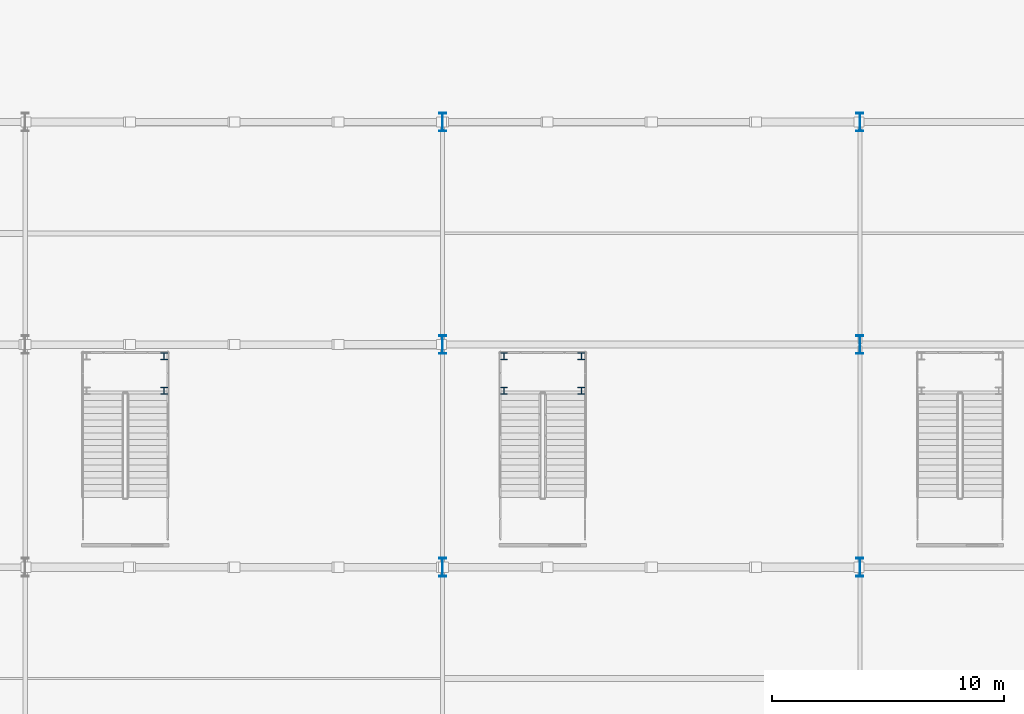
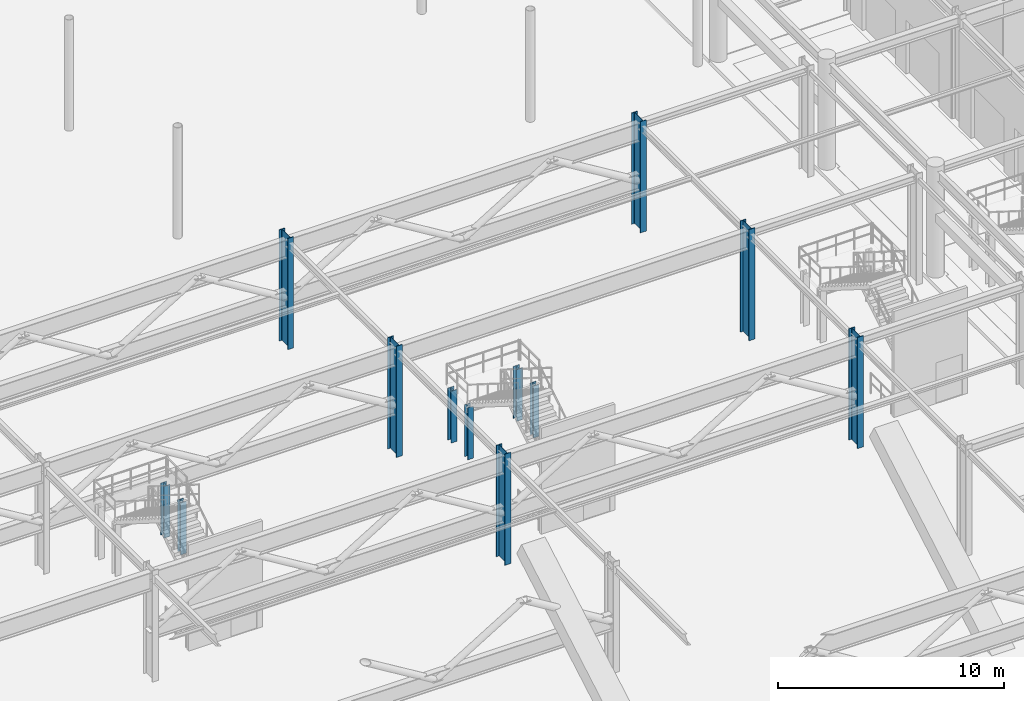
# One storey, part 11 of 113: 12 columns.
"""IFC4 building model written with IfcOpenShell, lengths in metres."""

from ifc_helpers import new_model, si_unit, direction, frame, origin, origin_2d, place, context, subcontext, project, spatial, i_section, extrude, material, material_profile, profile_set, type_object, element, save


model = new_model("IFC4")

# Units and contexts
model_context = context("Model", 3, precision=1e-05, world=origin(), true_north=direction((0.0, 1.0)))
body_context = subcontext(model_context, "Body", "Model", "MODEL_VIEW")
ifc_project = project(units=[si_unit("LENGTHUNIT", "METRE"), si_unit("AREAUNIT", "SQUARE_METRE"), si_unit("VOLUMEUNIT", "CUBIC_METRE"), si_unit("PLANEANGLEUNIT", "RADIAN"), si_unit("MASSUNIT", "GRAM", prefix="KILO")], contexts=[model_context])

# Site, building, storey
site_placement = place(None, origin())
site = spatial("IfcSite", under=ifc_project, at=site_placement, CompositionType="ELEMENT")
building_placement = place(site_placement, origin())
building = spatial("IfcBuilding", under=site, at=building_placement, Name="Myrtia Square Station", CompositionType="ELEMENT")
storey_placement = place(building_placement, origin())
storey = spatial("IfcBuildingStorey", under=building, at=storey_placement, Name="L00", CompositionType="ELEMENT", Elevation=0.0)

# Columns
ifc_material = material(Name="Steel S355", Category="steel")
ifc_material_profile_1 = material_profile(ifc_material, i_section(OverallWidth=0.300048828125, OverallDepth=0.300048828125, WebThickness=0.010986328125, FlangeThickness=0.01904296875, FilletRadius=0.027099609375, at=origin_2d()), Name="HEB 300")
ifc_profile_set_1 = profile_set([ifc_material_profile_1], Name="Steel S355")
column_type_1 = type_object("IfcColumnType", Name="COL-HEB300", PredefinedType="COLUMN", material=ifc_profile_set_1)
for number, where, z_axis, x_axis, name in (
    (1, (32.989990234375, 76.300048828125, 0.0), (0.0, 0.0, 1.0), (1.0, 0.0, 0.0), "Interchange stair landing post 2-EN"),
    (2, (32.989990234375, 74.820068359375, 0.0), (0.0, 0.0, 1.0), (1.0, 0.0, 0.0), "Interchange stair landing post 2-ES"),
    (3, (47.64990234375, 76.300048828125, 0.0), (0.0, 0.0, 1.0), (1.0, 0.0, 0.0), "Interchange stair landing post 3-WN"),
    (4, (47.64990234375, 74.820068359375, 0.0), (0.0, 0.0, 1.0), (1.0, 0.0, 0.0), "Interchange stair landing post 3-WS"),
    (5, (50.989990234375, 76.300048828125, 0.0), (0.0, 0.0, 1.0), (1.0, 0.0, 0.0), "Interchange stair landing post 3-EN"),
    (6, (50.989990234375, 74.820068359375, 0.0), (0.0, 0.0, 1.0), (1.0, 0.0, 0.0), "Interchange stair landing post 3-ES"),
):
    element("IfcColumn", number, at=place(storey_placement, frame(where, z_axis=z_axis, x_axis=x_axis)), inside=storey, type_object=column_type_1, Name=name, PredefinedType="COLUMN", context=body_context, shape_type="SweptSolid", body=[
        extrude(i_section(OverallWidth=0.300048828125, OverallDepth=0.300048828125, WebThickness=0.010986328125, FlangeThickness=0.01904296875, FilletRadius=0.027099609375, at=origin_2d()), origin(), (0.0, 0.0, 1.0), 2.800048828125),
    ])
ifc_material_profile_2 = material_profile(ifc_material, i_section(OverallWidth=0.300048828125, OverallDepth=0.800048828125, WebThickness=0.017578125, FlangeThickness=0.032958984375, FilletRadius=0.030029296875, at=origin_2d()), Name="HEB 800")
ifc_profile_set_2 = profile_set([ifc_material_profile_2], Name="Steel S355")
column_type_2 = type_object("IfcColumnType", Name="COL-HEB800", PredefinedType="COLUMN", material=ifc_profile_set_2)
for number, where, z_axis, x_axis, name in (
    (7, (45.0, 67.199951171875, 0.0), (0.0, 0.0, 1.0), (1.0, 0.0, 0.0), "Column L00-0137"),
    (8, (45.0, 76.800048828125, 0.0), (0.0, 0.0, 1.0), (1.0, 0.0, 0.0), "Column L00-0140"),
    (9, (45.0, 86.39990234375, 0.0), (0.0, 0.0, 1.0), (1.0, 0.0, 0.0), "Column L00-0143"),
    (10, (63.0, 67.199951171875, 0.0), (0.0, 0.0, 1.0), (1.0, 0.0, 0.0), "Column L00-0179"),
    (11, (63.0, 76.800048828125, 0.0), (0.0, 0.0, 1.0), (1.0, 0.0, 0.0), "Column L00-0182"),
    (12, (63.0, 86.39990234375, 0.0), (0.0, 0.0, 1.0), (1.0, 0.0, 0.0), "Column L00-0185"),
):
    element("IfcColumn", number, at=place(storey_placement, frame(where, z_axis=z_axis, x_axis=x_axis)), inside=storey, type_object=column_type_2, Name=name, PredefinedType="COLUMN", context=body_context, shape_type="SweptSolid", body=[
        extrude(i_section(OverallWidth=0.300048828125, OverallDepth=0.800048828125, WebThickness=0.017578125, FlangeThickness=0.032958984375, FilletRadius=0.030029296875, at=origin_2d()), origin(), (0.0, 0.0, 1.0), 6.0),
    ])

save(model, "model.ifc")
